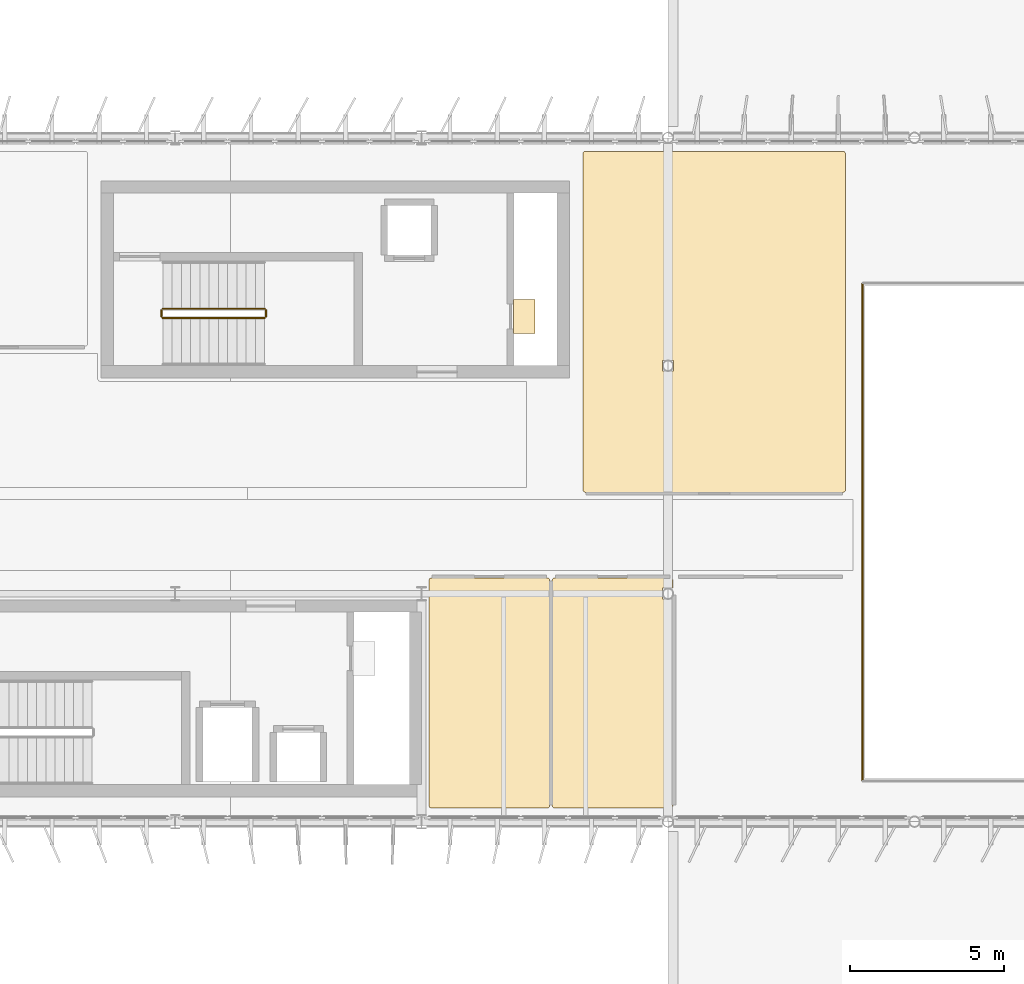
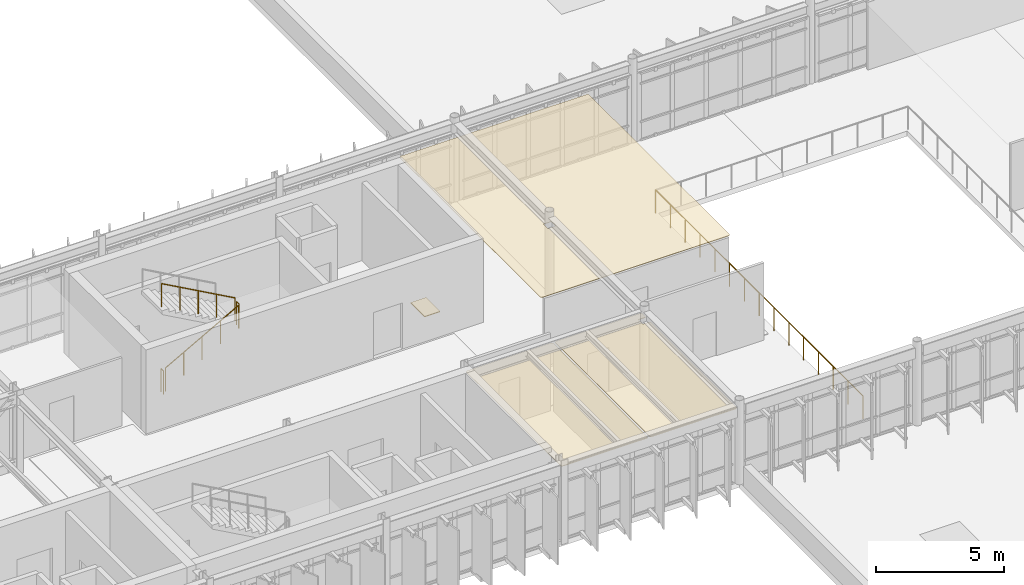
# One storey, part 49 of 56: 5 railings, 4 coverings.
"""IFC4 building model written with IfcOpenShell, lengths in metres."""

from ifc_helpers import new_model, si_unit, direction, frame, origin, origin_2d, place, context, subcontext, project, spatial, polyline, circle, outline, extrude, material, layer, layer_set, type_object, element, save


model = new_model("IFC4")

# Units and contexts
model_context = context("Model", 3, precision=1e-05, world=origin(), true_north=direction((0.0, 1.0)))
body_context = subcontext(model_context, "Body", "Model", "MODEL_VIEW")
ifc_project = project(units=[si_unit("LENGTHUNIT", "METRE"), si_unit("AREAUNIT", "SQUARE_METRE"), si_unit("VOLUMEUNIT", "CUBIC_METRE"), si_unit("PLANEANGLEUNIT", "RADIAN"), si_unit("MASSUNIT", "GRAM", prefix="KILO")], contexts=[model_context])

# Site, building, storey
site_placement = place(None, origin())
site = spatial("IfcSite", under=ifc_project, at=site_placement, CompositionType="ELEMENT")
building_placement = place(site_placement, origin())
building = spatial("IfcBuilding", under=site, at=building_placement, Name="Valkorina Park Police Headquarters", CompositionType="ELEMENT")
storey_placement = place(building_placement, frame((0.0, 0.0, 14.10009765625)))
storey = spatial("IfcBuildingStorey", under=building, at=storey_placement, Name="L04", CompositionType="ELEMENT", Elevation=14.10009765625)

# Coverings
ifc_material_1 = material(Name="Acoustic mineral board")
ifc_layer_1 = layer(ifc_material_1, 0.02490234375)
ifc_layer_set_1 = layer_set([ifc_layer_1], Name="Acoustic mineral board")
covering_type_1 = type_object("IfcCoveringType", Name="COV-CEILING-ACOUST", PredefinedType="CEILING", material=ifc_layer_set_1)
covering_1_placement = place(storey_placement, frame((0.0, 0.0, 3.179931640625)))
element("IfcCovering", 1, at=covering_1_placement, inside=storey, type_object=covering_type_1, Name="L04 Male WC Acoustic Suspended Ceiling", PredefinedType="CEILING", context=body_context, shape_type="SweptSolid", body=[
    extrude(outline(polyline([(52.95849609375, 37.50439453125), (52.959716796875, 37.51220703125), (52.9599609375, 37.52001953125), (52.9599609375, 44.830078125), (52.959716796875, 44.837890625), (52.95849609375, 44.845703125), (52.95654296875, 44.853271484375), (52.953857421875, 44.860595703125), (52.95068359375, 44.86767578125), (52.946533203125, 44.87451171875), (52.94189453125, 44.880859375), (52.9365234375, 44.88671875), (52.930908203125, 44.891845703125), (52.92431640625, 44.896484375), (52.917724609375, 44.900634765625), (52.91064453125, 44.90380859375), (52.9033203125, 44.906494140625), (52.8955078125, 44.908447265625), (52.8876953125, 44.90966796875), (52.8798828125, 44.909912109375), (49.1201171875, 44.909912109375), (49.1123046875, 44.90966796875), (49.1044921875, 44.908447265625), (49.0966796875, 44.906494140625), (49.08935546875, 44.90380859375), (49.082275390625, 44.900634765625), (49.07568359375, 44.896484375), (49.069091796875, 44.891845703125), (49.0634765625, 44.88671875), (49.05810546875, 44.880859375), (49.053466796875, 44.87451171875), (49.04931640625, 44.86767578125), (49.046142578125, 44.860595703125), (49.04345703125, 44.853271484375), (49.04150390625, 44.845703125), (49.040283203125, 44.837890625), (49.0400390625, 44.830078125), (49.0400390625, 37.52001953125), (49.040283203125, 37.51220703125), (49.04150390625, 37.50439453125), (49.04345703125, 37.496826171875), (49.046142578125, 37.489501953125), (49.04931640625, 37.482421875), (49.053466796875, 37.4755859375), (49.05810546875, 37.46923828125), (49.0634765625, 37.46337890625), (49.069091796875, 37.458251953125), (49.07568359375, 37.45361328125), (49.082275390625, 37.449462890625), (49.08935546875, 37.446044921875), (49.0966796875, 37.443359375), (49.1044921875, 37.44140625), (49.1123046875, 37.4404296875), (49.1201171875, 37.43994140625), (52.8798828125, 37.43994140625), (52.8876953125, 37.4404296875), (52.8955078125, 37.44140625), (52.9033203125, 37.443359375), (52.91064453125, 37.446044921875), (52.917724609375, 37.449462890625), (52.92431640625, 37.45361328125), (52.930908203125, 37.458251953125), (52.9365234375, 37.46337890625), (52.94189453125, 37.46923828125), (52.946533203125, 37.4755859375), (52.95068359375, 37.482421875), (52.953857421875, 37.489501953125), (52.95654296875, 37.496826171875), (52.95849609375, 37.50439453125)])), origin(), (0.0, 0.0, 1.0), 0.02490234375),
])
covering_2_placement = place(storey_placement, frame((0.0, 0.0, 3.179931640625)))
element("IfcCovering", 2, at=covering_2_placement, inside=storey, type_object=covering_type_1, Name="L04 Female WC Acoustic Suspended Ceiling", PredefinedType="CEILING", context=body_context, shape_type="SweptSolid", body=[
    extrude(outline(polyline([(56.95849609375, 44.602294921875), (56.959716796875, 44.610107421875), (56.9599609375, 44.617919921875), (56.9599609375, 44.830078125), (56.959716796875, 44.837890625), (56.95849609375, 44.845703125), (56.95654296875, 44.853271484375), (56.953857421875, 44.860595703125), (56.95068359375, 44.86767578125), (56.946533203125, 44.87451171875), (56.94189453125, 44.880859375), (56.9365234375, 44.88671875), (56.930908203125, 44.891845703125), (56.92431640625, 44.896484375), (56.917724609375, 44.900634765625), (56.91064453125, 44.90380859375), (56.9033203125, 44.906494140625), (56.8955078125, 44.908447265625), (56.8876953125, 44.90966796875), (56.8798828125, 44.909912109375), (53.1201171875, 44.909912109375), (53.1123046875, 44.90966796875), (53.1044921875, 44.908447265625), (53.0966796875, 44.906494140625), (53.08935546875, 44.90380859375), (53.082275390625, 44.900634765625), (53.07568359375, 44.896484375), (53.069091796875, 44.891845703125), (53.0634765625, 44.88671875), (53.05810546875, 44.880859375), (53.053466796875, 44.87451171875), (53.04931640625, 44.86767578125), (53.046142578125, 44.860595703125), (53.04345703125, 44.853271484375), (53.04150390625, 44.845703125), (53.040283203125, 44.837890625), (53.0400390625, 44.830078125), (53.0400390625, 37.52001953125), (53.040283203125, 37.51220703125), (53.04150390625, 37.50439453125), (53.04345703125, 37.496826171875), (53.046142578125, 37.489501953125), (53.04931640625, 37.482421875), (53.053466796875, 37.4755859375), (53.05810546875, 37.46923828125), (53.0634765625, 37.46337890625), (53.069091796875, 37.458251953125), (53.07568359375, 37.45361328125), (53.082275390625, 37.449462890625), (53.08935546875, 37.446044921875), (53.0966796875, 37.443359375), (53.1044921875, 37.44140625), (53.1123046875, 37.4404296875), (53.1201171875, 37.43994140625), (56.8798828125, 37.43994140625), (56.8876953125, 37.4404296875), (56.8955078125, 37.44140625), (56.9033203125, 37.443359375), (56.91064453125, 37.446044921875), (56.917724609375, 37.449462890625), (56.92431640625, 37.45361328125), (56.930908203125, 37.458251953125), (56.9365234375, 37.46337890625), (56.94189453125, 37.46923828125), (56.946533203125, 37.4755859375), (56.95068359375, 37.482421875), (56.953857421875, 37.489501953125), (56.95654296875, 37.496826171875), (56.95849609375, 37.50439453125), (56.959716796875, 37.51220703125), (56.9599609375, 37.52001953125), (56.9599609375, 44.18212890625), (56.959716796875, 44.18994140625), (56.95849609375, 44.19775390625), (56.95654296875, 44.205322265625), (56.953857421875, 44.212890625), (56.95068359375, 44.219970703125), (56.94921875, 44.22216796875), (56.622314453125, 44.22216796875), (56.622314453125, 44.577880859375), (56.94921875, 44.577880859375), (56.95068359375, 44.580078125), (56.953857421875, 44.587158203125), (56.95654296875, 44.594482421875), (56.95849609375, 44.602294921875)])), origin(), (0.0, 0.0, 1.0), 0.02490234375),
])
covering_3_placement = place(storey_placement, frame((0.0, 0.0, 3.239990234375)))
element("IfcCovering", 3, at=covering_3_placement, inside=storey, type_object=covering_type_1, Name="Economic Crime Analysis Office Acoustic Suspended Ceiling", PredefinedType="CEILING", context=body_context, shape_type="SweptSolid", body=[
    extrude(outline(polyline([(62.55859375, 47.75439453125), (62.5595703125, 47.76220703125), (62.56005859375, 47.77001953125), (62.56005859375, 58.679931640625), (62.5595703125, 58.687744140625), (62.55859375, 58.695556640625), (62.556640625, 58.703125), (62.553955078125, 58.710693359375), (62.550537109375, 58.7177734375), (62.54638671875, 58.724365234375), (62.541748046875, 58.730712890625), (62.53662109375, 58.736572265625), (62.53076171875, 58.74169921875), (62.5244140625, 58.74658203125), (62.517578125, 58.75048828125), (62.510498046875, 58.75390625), (62.503173828125, 58.756591796875), (62.49560546875, 58.758544921875), (62.48779296875, 58.759521484375), (62.47998046875, 58.760009765625), (54.1201171875, 58.760009765625), (54.1123046875, 58.759521484375), (54.1044921875, 58.758544921875), (54.0966796875, 58.756591796875), (54.08935546875, 58.75390625), (54.082275390625, 58.75048828125), (54.07568359375, 58.74658203125), (54.069091796875, 58.74169921875), (54.0634765625, 58.736572265625), (54.05810546875, 58.730712890625), (54.053466796875, 58.724365234375), (54.04931640625, 58.7177734375), (54.046142578125, 58.710693359375), (54.04345703125, 58.703125), (54.04150390625, 58.695556640625), (54.040283203125, 58.687744140625), (54.0400390625, 58.679931640625), (54.0400390625, 47.77001953125), (54.040283203125, 47.76220703125), (54.04150390625, 47.75439453125), (54.04345703125, 47.746826171875), (54.046142578125, 47.739501953125), (54.04931640625, 47.732421875), (54.053466796875, 47.7255859375), (54.05810546875, 47.71923828125), (54.0634765625, 47.71337890625), (54.069091796875, 47.708251953125), (54.07568359375, 47.70361328125), (54.082275390625, 47.699462890625), (54.08935546875, 47.696044921875), (54.0966796875, 47.693359375), (54.1044921875, 47.69140625), (54.1123046875, 47.6904296875), (54.1201171875, 47.68994140625), (62.47998046875, 47.68994140625), (62.48779296875, 47.6904296875), (62.49560546875, 47.69140625), (62.503173828125, 47.693359375), (62.510498046875, 47.696044921875), (62.517578125, 47.699462890625), (62.5244140625, 47.70361328125), (62.53076171875, 47.708251953125), (62.53662109375, 47.71337890625), (62.541748046875, 47.71923828125), (62.54638671875, 47.7255859375), (62.550537109375, 47.732421875), (62.553955078125, 47.739501953125), (62.556640625, 47.746826171875), (62.55859375, 47.75439453125)]), holes=[polyline([(56.977783203125, 51.977783203125), (56.977783203125, 51.622314453125), (56.622314453125, 51.622314453125), (56.622314453125, 51.977783203125), (56.977783203125, 51.977783203125)])]), origin(), (0.0, 0.0, 1.0), 0.02490234375),
])
ifc_material_2 = material(Name="Resin terrazzo flooring")
ifc_layer_2 = layer(ifc_material_2, 0.030029296875)
ifc_layer_set_2 = layer_set([ifc_layer_2], Name="Resin terrazzo flooring")
covering_type_2 = type_object("IfcCoveringType", Name="COV-FLOOR-TERRAZZO", PredefinedType="FLOORING", material=ifc_layer_set_2)
covering_4_placement = place(storey_placement, origin())
element("IfcCovering", 4, at=covering_4_placement, inside=storey, type_object=covering_type_2, Name="Core C3 L04 Riser Inspection Threshold Grate", PredefinedType="FLOORING", context=body_context, shape_type="SweptSolid", body=[
    extrude(outline(polyline([(52.47998046875, 52.85009765625), (52.47998046875, 53.949951171875), (51.780029296875, 53.949951171875), (51.780029296875, 52.85009765625), (52.47998046875, 52.85009765625)])), origin(), (0.0, 0.0, 1.0), 0.02978515625),
])

# Railings
ifc_material_3 = material(Name="Stainless steel EN 1.4404", Category="steel")
railing_type = type_object("IfcRailingType", Name="RL-GUARD-INT-1100", PredefinedType="BALUSTRADE", material=ifc_material_3)
railing_1_placement = place(storey_placement, frame((40.39990234375, 53.35009765625, 0.16650390625)))
element("IfcRailing", 5, at=railing_1_placement, inside=storey, type_object=railing_type, Name="L04 Core C3 Stair Guard 1", PredefinedType="BALUSTRADE", context=body_context, shape_type="SweptSolid", body=[
    extrude(circle(Radius=0.02392578125, at=origin_2d()), frame((0.0, 0.0, 1.09619140625), z_axis=(0.874142023373, 0.0, 0.48567038511), x_axis=(0.0, 1.0, 0.0)), (0.0, 0.0, 1.0), 3.775146484375),
    extrude(circle(Radius=0.02099609375, at=origin_2d()), origin(), (0.0, 0.0, 1.0), 1.072021484375),
    extrude(circle(Radius=0.02099609375, at=origin_2d()), frame((0.824951171875, 0.0, 0.45849609375)), (0.0, 0.0, 1.0), 1.072021484375),
    extrude(circle(Radius=0.02099609375, at=origin_2d()), frame((1.64990234375, 0.0, 0.916748046875)), (0.0, 0.0, 1.0), 1.072021484375),
    extrude(circle(Radius=0.02099609375, at=origin_2d()), frame((2.47509765625, 0.0, 1.375)), (0.0, 0.0, 1.0), 1.072021484375),
    extrude(circle(Radius=0.02099609375, at=origin_2d()), frame((3.300048828125, 0.0, 1.83349609375)), (0.0, 0.0, 1.0), 1.072021484375),
])
railing_2_placement = place(storey_placement, frame((43.75, 53.39990234375, 2.0)))
element("IfcRailing", 6, at=railing_2_placement, inside=storey, type_object=railing_type, Name="L04 Core C3 Stair Guard 2", PredefinedType="BALUSTRADE", context=body_context, shape_type="SweptSolid", body=[
    extrude(circle(Radius=0.02392578125, at=origin_2d()), frame((0.0, 0.0, 1.09619140625), z_axis=(0.0, 1.0, 0.0), x_axis=(-1.0, 0.0, 0.0)), (0.0, 0.0, 1.0), 0.2001953125),
    extrude(circle(Radius=0.02099609375, at=origin_2d()), origin(), (0.0, 0.0, 1.0), 1.072021484375),
    extrude(circle(Radius=0.02099609375, at=origin_2d()), frame((0.0, 0.2001953125, 0.0)), (0.0, 0.0, 1.0), 1.072021484375),
])
railing_3_placement = place(storey_placement, frame((43.699951171875, 53.64990234375, 2.16650390625)))
element("IfcRailing", 7, at=railing_3_placement, inside=storey, type_object=railing_type, Name="L04 Core C3 Stair Guard 3", PredefinedType="BALUSTRADE", context=body_context, shape_type="SweptSolid", body=[
    extrude(circle(Radius=0.02392578125, at=origin_2d()), frame((0.0, 0.0, 1.09619140625), z_axis=(-0.874142023373, 0.0, 0.48567038511), x_axis=(0.0, -1.0, 0.0)), (0.0, 0.0, 1.0), 3.775146484375),
    extrude(circle(Radius=0.02099609375, at=origin_2d()), origin(), (0.0, 0.0, 1.0), 1.072021484375),
    extrude(circle(Radius=0.02099609375, at=origin_2d()), frame((-0.824951171875, 0.0, 0.45849609375)), (0.0, 0.0, 1.0), 1.072021484375),
    extrude(circle(Radius=0.02099609375, at=origin_2d()), frame((-1.64990234375, 0.0, 0.916748046875)), (0.0, 0.0, 1.0), 1.072021484375),
    extrude(circle(Radius=0.02099609375, at=origin_2d()), frame((-2.47509765625, 0.0, 1.375)), (0.0, 0.0, 1.0), 1.072021484375),
    extrude(circle(Radius=0.02099609375, at=origin_2d()), frame((-3.300048828125, 0.0, 1.83349609375)), (0.0, 0.0, 1.0), 1.072021484375),
])
railing_4_placement = place(storey_placement, frame((40.35009765625, 53.39990234375, 0.0)))
element("IfcRailing", 8, at=railing_4_placement, inside=storey, type_object=railing_type, Name="L04 Core C3 Stair Guard 4", PredefinedType="BALUSTRADE", context=body_context, shape_type="SweptSolid", body=[
    extrude(circle(Radius=0.02392578125, at=origin_2d()), frame((0.0, 0.0, 1.09619140625), z_axis=(0.0, 1.0, 0.0), x_axis=(-1.0, 0.0, 0.0)), (0.0, 0.0, 1.0), 0.2001953125),
    extrude(circle(Radius=0.02099609375, at=origin_2d()), origin(), (0.0, 0.0, 1.0), 1.072021484375),
    extrude(circle(Radius=0.02099609375, at=origin_2d()), frame((0.0, 0.2001953125, 0.0)), (0.0, 0.0, 1.0), 1.072021484375),
])
railing_5_placement = place(storey_placement, frame((63.1201171875, 54.47998046875, 0.0)))
element("IfcRailing", 9, at=railing_5_placement, inside=storey, type_object=railing_type, Name="L04 Winter Concourse Atrium Balustrade 12", PredefinedType="BALUSTRADE", context=body_context, shape_type="SweptSolid", body=[
    extrude(circle(Radius=0.02392578125, at=origin_2d()), frame((0.0, 0.0, 1.09619140625), z_axis=(0.0, -1.0, 0.0), x_axis=(1.0, 0.0, 0.0)), (0.0, 0.0, 1.0), 16.159912109375),
    extrude(circle(Radius=0.02099609375, at=origin_2d()), origin(), (0.0, 0.0, 1.0), 1.072021484375),
    extrude(circle(Radius=0.02099609375, at=origin_2d()), frame((0.0, -1.154296875, 0.0)), (0.0, 0.0, 1.0), 1.072021484375),
    extrude(circle(Radius=0.02099609375, at=origin_2d()), frame((0.0, -2.30859375, 0.0)), (0.0, 0.0, 1.0), 1.072021484375),
    extrude(circle(Radius=0.02099609375, at=origin_2d()), frame((0.0, -3.462890625, 0.0)), (0.0, 0.0, 1.0), 1.072021484375),
    extrude(circle(Radius=0.02099609375, at=origin_2d()), frame((0.0, -4.6171875, 0.0)), (0.0, 0.0, 1.0), 1.072021484375),
    extrude(circle(Radius=0.02099609375, at=origin_2d()), frame((0.0, -5.771484375, 0.0)), (0.0, 0.0, 1.0), 1.072021484375),
    extrude(circle(Radius=0.02099609375, at=origin_2d()), frame((0.0, -6.92578125, 0.0)), (0.0, 0.0, 1.0), 1.072021484375),
    extrude(circle(Radius=0.02099609375, at=origin_2d()), frame((0.0, -8.080078125, 0.0)), (0.0, 0.0, 1.0), 1.072021484375),
    extrude(circle(Radius=0.02099609375, at=origin_2d()), frame((0.0, -9.234130859375, 0.0)), (0.0, 0.0, 1.0), 1.072021484375),
    extrude(circle(Radius=0.02099609375, at=origin_2d()), frame((0.0, -10.388427734375, 0.0)), (0.0, 0.0, 1.0), 1.072021484375),
    extrude(circle(Radius=0.02099609375, at=origin_2d()), frame((0.0, -11.542724609375, 0.0)), (0.0, 0.0, 1.0), 1.072021484375),
    extrude(circle(Radius=0.02099609375, at=origin_2d()), frame((0.0, -12.697021484375, 0.0)), (0.0, 0.0, 1.0), 1.072021484375),
    extrude(circle(Radius=0.02099609375, at=origin_2d()), frame((0.0, -13.851318359375, 0.0)), (0.0, 0.0, 1.0), 1.072021484375),
    extrude(circle(Radius=0.02099609375, at=origin_2d()), frame((0.0, -15.005615234375, 0.0)), (0.0, 0.0, 1.0), 1.072021484375),
    extrude(circle(Radius=0.02099609375, at=origin_2d()), frame((0.0, -16.159912109375, 0.0)), (0.0, 0.0, 1.0), 1.072021484375),
])

save(model, "model.ifc")
